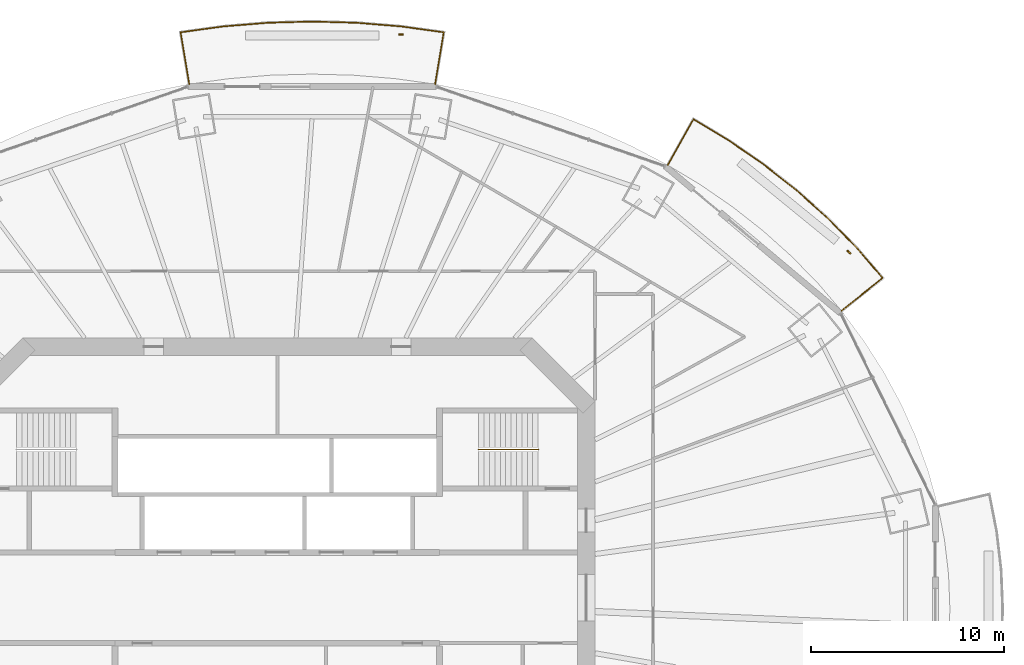
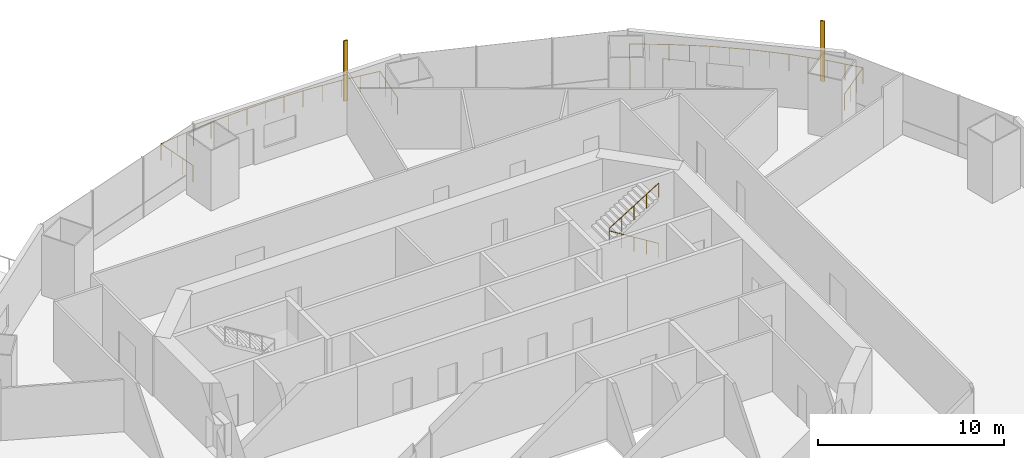
# One storey, part 19 of 21: 3 railings, 2 shading devices.
"""IFC4 building model written with IfcOpenShell, lengths in metres."""

from ifc_helpers import new_model, si_unit, direction, frame, origin, origin_2d, place, context, subcontext, project, spatial, rectangle, circle, extrude, material, material_profile, profile_set, type_object, element, save


model = new_model("IFC4")

# Units and contexts
model_context = context("Model", 3, precision=1e-05, world=origin(), true_north=direction((0.0, 1.0)))
body_context = subcontext(model_context, "Body", "Model", "MODEL_VIEW")
ifc_project = project(units=[si_unit("LENGTHUNIT", "METRE"), si_unit("AREAUNIT", "SQUARE_METRE"), si_unit("VOLUMEUNIT", "CUBIC_METRE"), si_unit("PLANEANGLEUNIT", "RADIAN"), si_unit("MASSUNIT", "GRAM", prefix="KILO")], contexts=[model_context])

# Site, building, storey
site_placement = place(None, origin())
site = spatial("IfcSite", under=ifc_project, at=site_placement, CompositionType="ELEMENT")
building_placement = place(site_placement, origin())
building = spatial("IfcBuilding", under=site, at=building_placement, Name="Marenthal Gate Tower", CompositionType="ELEMENT")
storey_placement = place(building_placement, frame((0.0, 0.0, 165.199951171875)))
storey = spatial("IfcBuildingStorey", under=building, at=storey_placement, Name="L35", CompositionType="ELEMENT", Elevation=165.199951171875)

# Railings
ifc_material_1 = material(Name="Stainless steel", Category="steel")
railing_type_1 = type_object("IfcRailingType", Name="Balcony guard 1100", PredefinedType="GUARDRAIL", material=ifc_material_1)
railing_1_placement = place(storey_placement, frame((20.214111328125, 22.402587890625, 0.0)))
element("IfcRailing", 1, at=railing_1_placement, inside=storey, type_object=railing_type_1, Name="Balcony guard L35 bay 2", PredefinedType="GUARDRAIL", context=body_context, shape_type="SweptSolid", body=[
    extrude(circle(Radius=0.02392578125, at=origin_2d()), frame((0.0, 0.0, 1.076171875), z_axis=(0.489411085686, 0.871928974406, -0.014719130397), x_axis=(-0.872023442683, 0.489464110443, 0.0)), (0.0, 0.0, 1.0), 2.72021484375),
    extrude(circle(Radius=0.02392578125, at=origin_2d()), frame((1.331298828125, 2.371826171875, 1.0361328125), z_axis=(0.856361121068, -0.516377410741, 0.0), x_axis=(0.516377410741, 0.856361121068, 0.0)), (0.0, 0.0, 1.0), 2.135498046875),
    extrude(circle(Radius=0.02392578125, at=origin_2d()), frame((3.16015625, 1.26904296875, 1.0361328125), z_axis=(0.823545660097, -0.567249985223, 0.0), x_axis=(0.567249985223, 0.823545660097, 0.0)), (0.0, 0.0, 1.0), 2.197509765625),
    extrude(circle(Radius=0.02392578125, at=origin_2d()), frame((4.969970703125, 0.0224609375, 1.0361328125), z_axis=(0.786162827468, -0.618019424215, 0.0), x_axis=(0.618019424215, 0.786162827468, 0.0)), (0.0, 0.0, 1.0), 2.179443359375),
    extrude(circle(Radius=0.02392578125, at=origin_2d()), frame((6.683349609375, -1.324462890625, 1.0361328125), z_axis=(0.744691426394, -0.667408929709, 0.0), x_axis=(0.667408929709, 0.744691426394, 0.0)), (0.0, 0.0, 1.0), 2.160888671875),
    extrude(circle(Radius=0.02392578125, at=origin_2d()), frame((8.29248046875, -2.7666015625, 1.0361328125), z_axis=(0.699082666614, -0.715040855644, 0.0), x_axis=(0.715040855644, 0.699082666614, 0.0)), (0.0, 0.0, 1.0), 2.141845703125),
    extrude(circle(Radius=0.02392578125, at=origin_2d()), frame((9.789794921875, -4.298095703125, 1.0361328125), z_axis=(0.650348633752, -0.759635869727, 0.0), x_axis=(0.759635869727, 0.650348633752, 0.0)), (0.0, 0.0, 1.0), 2.0439453125),
    extrude(circle(Radius=0.02392578125, at=origin_2d()), frame((11.119140625, -5.850830078125, 1.0361328125), z_axis=(-0.782541115897, -0.622424892619, 0.014719204382), x_axis=(0.622492329303, -0.782625900388, 0.0)), (0.0, 0.0, 1.0), 2.72021484375),
    extrude(circle(Radius=0.02099609375, at=origin_2d()), origin(), (0.0, 0.0, 1.0), 1.052001953125),
    extrude(circle(Radius=0.02099609375, at=origin_2d()), frame((0.44384765625, 0.79052734375, -0.013427734375)), (0.0, 0.0, 1.0), 1.052001953125),
    extrude(circle(Radius=0.02099609375, at=origin_2d()), frame((0.887451171875, 1.581298828125, -0.026611328125)), (0.0, 0.0, 1.0), 1.052001953125),
    extrude(circle(Radius=0.02099609375, at=origin_2d()), frame((1.331298828125, 2.371826171875, -0.0400390625)), (0.0, 0.0, 1.0), 1.052001953125),
    extrude(circle(Radius=0.02099609375, at=origin_2d()), frame((2.24560546875, 1.8203125, -0.0400390625)), (0.0, 0.0, 1.0), 1.052001953125),
    extrude(circle(Radius=0.02099609375, at=origin_2d()), frame((3.16015625, 1.26904296875, -0.0400390625)), (0.0, 0.0, 1.0), 1.052001953125),
    extrude(circle(Radius=0.02099609375, at=origin_2d()), frame((4.06494140625, 0.645751953125, -0.0400390625)), (0.0, 0.0, 1.0), 1.052001953125),
    extrude(circle(Radius=0.02099609375, at=origin_2d()), frame((4.969970703125, 0.0224609375, -0.0400390625)), (0.0, 0.0, 1.0), 1.052001953125),
    extrude(circle(Radius=0.02099609375, at=origin_2d()), frame((5.82666015625, -0.65087890625, -0.0400390625)), (0.0, 0.0, 1.0), 1.052001953125),
    extrude(circle(Radius=0.02099609375, at=origin_2d()), frame((6.683349609375, -1.324462890625, -0.0400390625)), (0.0, 0.0, 1.0), 1.052001953125),
    extrude(circle(Radius=0.02099609375, at=origin_2d()), frame((7.48779296875, -2.04541015625, -0.0400390625)), (0.0, 0.0, 1.0), 1.052001953125),
    extrude(circle(Radius=0.02099609375, at=origin_2d()), frame((8.29248046875, -2.7666015625, -0.0400390625)), (0.0, 0.0, 1.0), 1.052001953125),
    extrude(circle(Radius=0.02099609375, at=origin_2d()), frame((9.041015625, -3.5322265625, -0.0400390625)), (0.0, 0.0, 1.0), 1.052001953125),
    extrude(circle(Radius=0.02099609375, at=origin_2d()), frame((9.789794921875, -4.298095703125, -0.0400390625)), (0.0, 0.0, 1.0), 1.052001953125),
    extrude(circle(Radius=0.02099609375, at=origin_2d()), frame((10.45458984375, -5.074462890625, -0.0400390625)), (0.0, 0.0, 1.0), 1.052001953125),
    extrude(circle(Radius=0.02099609375, at=origin_2d()), frame((11.119140625, -5.850830078125, -0.0400390625)), (0.0, 0.0, 1.0), 1.052001953125),
    extrude(circle(Radius=0.02099609375, at=origin_2d()), frame((10.40966796875, -6.415283203125, -0.026611328125)), (0.0, 0.0, 1.0), 1.052001953125),
    extrude(circle(Radius=0.02099609375, at=origin_2d()), frame((9.699951171875, -6.9794921875, -0.013427734375)), (0.0, 0.0, 1.0), 1.052001953125),
    extrude(circle(Radius=0.02099609375, at=origin_2d()), frame((8.990478515625, -7.5439453125, 0.0)), (0.0, 0.0, 1.0), 1.052001953125),
])
railing_2_placement = place(storey_placement, frame((-4.562744140625, 26.5927734375, 0.0)))
element("IfcRailing", 2, at=railing_2_placement, inside=storey, type_object=railing_type_1, Name="Balcony guard L35 bay 4", PredefinedType="GUARDRAIL", context=body_context, shape_type="SweptSolid", body=[
    extrude(circle(Radius=0.02392578125, at=origin_2d()), frame((0.0, 0.0, 1.076171875), z_axis=(-0.164788694753, 0.986219051168, -0.014719687331), x_axis=(-0.986325910177, -0.164806549971, 0.0)), (0.0, 0.0, 1.0), 2.72021484375),
    extrude(circle(Radius=0.02392578125, at=origin_2d()), frame((-0.4482421875, 2.6826171875, 1.0361328125), z_axis=(0.990667720478, 0.136299184159, 0.0), x_axis=(-0.136299184159, 0.990667720478, 0.0)), (0.0, 0.0, 1.0), 2.222900390625),
    extrude(circle(Radius=0.02392578125, at=origin_2d()), frame((1.75390625, 2.985595703125, 1.0361328125), z_axis=(0.996598092029, 0.082415065148, 0.0), x_axis=(-0.082415065148, 0.996598092029, 0.0)), (0.0, 0.0, 1.0), 2.3076171875),
    extrude(circle(Radius=0.02392578125, at=origin_2d()), frame((4.0537109375, 3.17578125, 1.0361328125), z_axis=(0.999622365191, 0.027479574429, 0.0), x_axis=(-0.027479574429, 0.999622365191, 0.0)), (0.0, 0.0, 1.0), 2.31005859375),
    extrude(circle(Radius=0.02392578125, at=origin_2d()), frame((6.36279296875, 3.2392578125, 1.0361328125), z_axis=(0.999622365191, -0.027479574429, 0.0), x_axis=(0.027479574429, 0.999622365191, 0.0)), (0.0, 0.0, 1.0), 2.31005859375),
    extrude(circle(Radius=0.02392578125, at=origin_2d()), frame((8.671875, 3.17578125, 1.0361328125), z_axis=(0.996597373324, -0.082423755581, 0.0), x_axis=(0.082423755581, 0.996597373324, 0.0)), (0.0, 0.0, 1.0), 2.307373046875),
    extrude(circle(Radius=0.02392578125, at=origin_2d()), frame((10.971435546875, 2.985595703125, 1.0361328125), z_axis=(0.990669760511, -0.136284355703, 0.0), x_axis=(0.136284355703, 0.990669760511, 0.0)), (0.0, 0.0, 1.0), 2.22314453125),
    extrude(circle(Radius=0.02392578125, at=origin_2d()), frame((13.173828125, 2.6826171875, 1.0361328125), z_axis=(-0.164788694753, -0.986219051168, 0.014719687331), x_axis=(0.986325910177, -0.164806549971, 0.0)), (0.0, 0.0, 1.0), 2.72021484375),
    extrude(circle(Radius=0.02099609375, at=origin_2d()), origin(), (0.0, 0.0, 1.0), 1.052001953125),
    extrude(circle(Radius=0.02099609375, at=origin_2d()), frame((-0.1494140625, 0.894287109375, -0.013427734375)), (0.0, 0.0, 1.0), 1.052001953125),
    extrude(circle(Radius=0.02099609375, at=origin_2d()), frame((-0.298828125, 1.788330078125, -0.026611328125)), (0.0, 0.0, 1.0), 1.052001953125),
    extrude(circle(Radius=0.02099609375, at=origin_2d()), frame((-0.4482421875, 2.6826171875, -0.0400390625)), (0.0, 0.0, 1.0), 1.052001953125),
    extrude(circle(Radius=0.02099609375, at=origin_2d()), frame((0.65283203125, 2.833984375, -0.0400390625)), (0.0, 0.0, 1.0), 1.052001953125),
    extrude(circle(Radius=0.02099609375, at=origin_2d()), frame((1.75390625, 2.985595703125, -0.0400390625)), (0.0, 0.0, 1.0), 1.052001953125),
    extrude(circle(Radius=0.02099609375, at=origin_2d()), frame((2.90380859375, 3.08056640625, -0.0400390625)), (0.0, 0.0, 1.0), 1.052001953125),
    extrude(circle(Radius=0.02099609375, at=origin_2d()), frame((4.0537109375, 3.17578125, -0.0400390625)), (0.0, 0.0, 1.0), 1.052001953125),
    extrude(circle(Radius=0.02099609375, at=origin_2d()), frame((5.208251953125, 3.20751953125, -0.0400390625)), (0.0, 0.0, 1.0), 1.052001953125),
    extrude(circle(Radius=0.02099609375, at=origin_2d()), frame((6.36279296875, 3.2392578125, -0.0400390625)), (0.0, 0.0, 1.0), 1.052001953125),
    extrude(circle(Radius=0.02099609375, at=origin_2d()), frame((7.517333984375, 3.20751953125, -0.0400390625)), (0.0, 0.0, 1.0), 1.052001953125),
    extrude(circle(Radius=0.02099609375, at=origin_2d()), frame((8.671875, 3.17578125, -0.0400390625)), (0.0, 0.0, 1.0), 1.052001953125),
    extrude(circle(Radius=0.02099609375, at=origin_2d()), frame((9.82177734375, 3.08056640625, -0.0400390625)), (0.0, 0.0, 1.0), 1.052001953125),
    extrude(circle(Radius=0.02099609375, at=origin_2d()), frame((10.971435546875, 2.985595703125, -0.0400390625)), (0.0, 0.0, 1.0), 1.052001953125),
    extrude(circle(Radius=0.02099609375, at=origin_2d()), frame((12.07275390625, 2.833984375, -0.0400390625)), (0.0, 0.0, 1.0), 1.052001953125),
    extrude(circle(Radius=0.02099609375, at=origin_2d()), frame((13.173828125, 2.6826171875, -0.0400390625)), (0.0, 0.0, 1.0), 1.052001953125),
    extrude(circle(Radius=0.02099609375, at=origin_2d()), frame((13.0244140625, 1.788330078125, -0.026611328125)), (0.0, 0.0, 1.0), 1.052001953125),
    extrude(circle(Radius=0.02099609375, at=origin_2d()), frame((12.875, 0.894287109375, -0.013427734375)), (0.0, 0.0, 1.0), 1.052001953125),
    extrude(circle(Radius=0.02099609375, at=origin_2d()), frame((12.7255859375, 0.0, 0.0)), (0.0, 0.0, 1.0), 1.052001953125),
])
ifc_material_2 = material(Name="Stainless steel", Category="steel")
railing_type_2 = type_object("IfcRailingType", Name="Stair handrail", PredefinedType="HANDRAIL", material=ifc_material_2)
railing_3_placement = place(storey_placement, frame((13.5, 7.675048828125, 0.1728515625)))
element("IfcRailing", 3, at=railing_3_placement, inside=storey, type_object=railing_type_2, Name="Handrail ST3", PredefinedType="HANDRAIL", context=body_context, shape_type="SweptSolid", body=[
    extrude(circle(Radius=0.0224609375, at=origin_2d()), frame((0.0, 0.0, 0.927490234375), z_axis=(-0.850835241893, 0.0, 0.525432575268), x_axis=(0.0, -1.0, 0.0)), (0.0, 0.0, 1.0), 3.6201171875),
    extrude(circle(Radius=0.0224609375, at=origin_2d()), frame((-3.080078125, 0.0, 2.82958984375), z_axis=(0.0, 0.0, 1.0), x_axis=(1.0, 0.0, 0.0)), (0.0, 0.0, 1.0), 0.173095703125),
    extrude(circle(Radius=0.0224609375, at=origin_2d()), frame((-3.080078125, 0.0, 3.002685546875), z_axis=(0.850835241893, 0.0, 0.525432575268), x_axis=(0.0, 1.0, 0.0)), (0.0, 0.0, 1.0), 3.6201171875),
    extrude(circle(Radius=0.02001953125, at=origin_2d()), origin(), (0.0, 0.0, 1.0), 0.905029296875),
    extrude(circle(Radius=0.02001953125, at=origin_2d()), frame((-0.77001953125, 0.0, 0.4755859375)), (0.0, 0.0, 1.0), 0.905029296875),
    extrude(circle(Radius=0.02001953125, at=origin_2d()), frame((-1.5400390625, 0.0, 0.951171875)), (0.0, 0.0, 1.0), 0.905029296875),
    extrude(circle(Radius=0.02001953125, at=origin_2d()), frame((-2.31005859375, 0.0, 1.426513671875)), (0.0, 0.0, 1.0), 0.905029296875),
    extrude(circle(Radius=0.02001953125, at=origin_2d()), frame((-3.080078125, 0.0, 1.902099609375)), (0.0, 0.0, 1.0), 0.905029296875),
    extrude(circle(Radius=0.02001953125, at=origin_2d()), frame((-3.080078125, 0.0, 2.0751953125)), (0.0, 0.0, 1.0), 0.905029296875),
    extrude(circle(Radius=0.02001953125, at=origin_2d()), frame((-2.31005859375, 0.0, 2.55078125)), (0.0, 0.0, 1.0), 0.905029296875),
    extrude(circle(Radius=0.02001953125, at=origin_2d()), frame((-1.5400390625, 0.0, 3.0263671875)), (0.0, 0.0, 1.0), 0.905029296875),
    extrude(circle(Radius=0.02001953125, at=origin_2d()), frame((-0.77001953125, 0.0, 3.501708984375)), (0.0, 0.0, 1.0), 0.905029296875),
    extrude(circle(Radius=0.02001953125, at=origin_2d()), frame((0.0, 0.0, 3.977294921875)), (0.0, 0.0, 1.0), 0.905029296875),
])

# Shading devices
ifc_material_3 = material(Name="Terracotta", Category="masonry")
ifc_material_profile = material_profile(ifc_material_3, rectangle(XDim=0.25, YDim=0.080078125, at=origin_2d()), Name="Terracotta baguette 250x80")
ifc_profile_set = profile_set([ifc_material_profile], Name="Terracotta")
shading_device_type = type_object("IfcShadingDeviceType", Name="Terracotta BAGUETTE SCREEN 250x80", PredefinedType="USERDEFINED", material=ifc_profile_set)
for number, where, z_axis, x_axis, name in (
    (4, (29.590576171875, 17.891357421875, -0.0400390625), (0.0, 0.0, 1.0), (-0.765921119211, 0.642934552771, 0.0), "Terracotta BAGUETTE L35 bay 2L"),
    (5, (6.40283203125, 29.156005859375, -0.0400390625), (0.0, 0.0, 1.0), (-1.0, 0.0, 0.0), "Terracotta BAGUETTE L35 bay 4L"),
):
    element("IfcShadingDevice", number, at=place(storey_placement, frame(where, z_axis=z_axis, x_axis=x_axis)), inside=storey, type_object=shading_device_type, Name=name, ObjectType="BAGUETTE SCREEN", PredefinedType="USERDEFINED", context=body_context, shape_type="SweptSolid", body=[
        extrude(rectangle(XDim=0.25, YDim=0.080078125, at=origin_2d()), origin(), (0.0, 0.0, 1.0), 3.969970703125),
    ])

save(model, "model.ifc")
